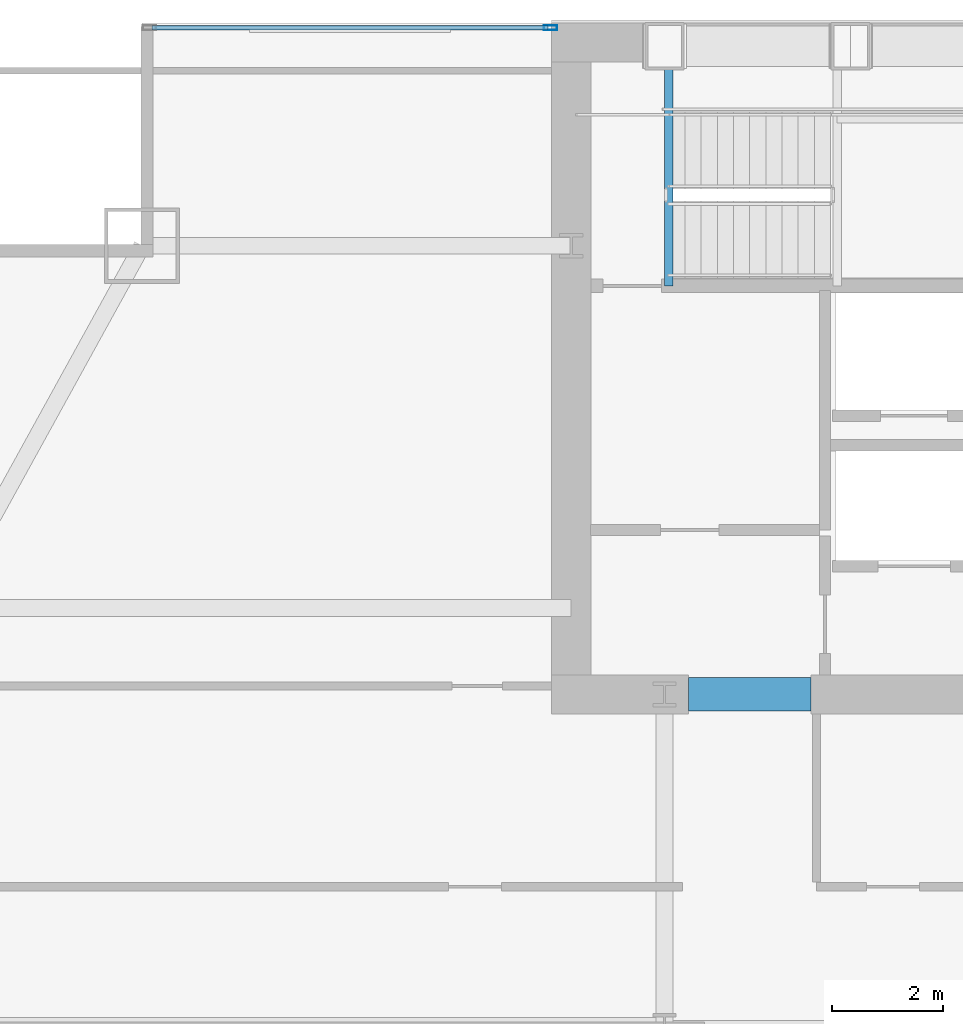
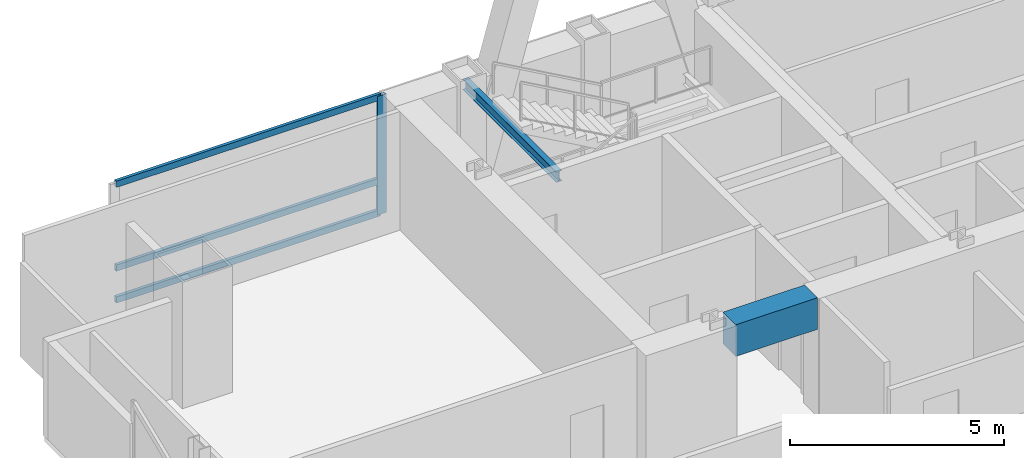
# One storey, part 19 of 31: 4 members, 2 beams, 1 element without a shape of its own.
"""IFC4 building model written with IfcOpenShell, lengths in metres."""

from ifc_helpers import new_model, si_unit, direction, frame, origin, origin_2d, place, context, subcontext, project, spatial, rectangle, hollow_rectangle, i_section, extrude, material, material_profile, profile_set, type_object, element, aggregate, save


model = new_model("IFC4")

# Units and contexts
model_context = context("Model", 3, precision=1e-05, world=origin(), true_north=direction((0.0, 1.0)))
body_context = subcontext(model_context, "Body", "Model", "MODEL_VIEW")
ifc_project = project(units=[si_unit("LENGTHUNIT", "METRE"), si_unit("AREAUNIT", "SQUARE_METRE"), si_unit("VOLUMEUNIT", "CUBIC_METRE"), si_unit("PLANEANGLEUNIT", "RADIAN"), si_unit("MASSUNIT", "GRAM", prefix="KILO")], contexts=[model_context])

# Site, building, storey
site_placement = place(None, origin())
site = spatial("IfcSite", under=ifc_project, at=site_placement, CompositionType="ELEMENT")
building_placement = place(site_placement, origin())
building = spatial("IfcBuilding", under=site, at=building_placement, Name="Khoronbel Lancet Exchange", CompositionType="ELEMENT")
storey_placement = place(building_placement, frame((0.0, 0.0, 168.60009765625)))
storey = spatial("IfcBuildingStorey", under=building, at=storey_placement, Name="L42", CompositionType="ELEMENT", Elevation=168.60009765625)

# Beams
ifc_material_1 = material(Name="Steel S355", Category="steel")
ifc_material_profile_1 = material_profile(ifc_material_1, i_section(OverallWidth=0.14990234375, OverallDepth=0.300048828125, WebThickness=0.007080078125, FlangeThickness=0.0107421875, at=origin_2d()), Name="IPE 300")
ifc_profile_set_1 = profile_set([ifc_material_profile_1], Name="Steel S355")
beam_type_1 = type_object("IfcBeamType", Name="BM-BJ8", PredefinedType="JOIST", material=ifc_profile_set_1)
beam_1_placement = place(storey_placement, frame((18.300048828125, 48.97998046875, 3.099853515625), z_axis=(0.0, 1.0, 0.0), x_axis=(-1.0, 0.0, 0.0)))
element("IfcBeam", 1, at=beam_1_placement, inside=storey, type_object=beam_type_1, Name="Level L42 stair ST1 upper-flight arrival trimmer beam", PredefinedType="JOIST", context=body_context, shape_type="SweptSolid", body=[
    extrude(i_section(OverallWidth=0.14990234375, OverallDepth=0.300048828125, WebThickness=0.007080078125, FlangeThickness=0.0107421875, at=origin_2d()), origin(), (0.0, 0.0, 1.0), 4.3701171875),
])
ifc_material_2 = material(Name="Concrete C80/95", Category="concrete")
ifc_material_profile_2 = material_profile(ifc_material_2, rectangle(XDim=0.60009765625, YDim=0.89990234375, at=origin_2d()), Name="RC 600x900")
ifc_profile_set_2 = profile_set([ifc_material_profile_2], Name="Concrete C80/95")
beam_type_2 = type_object("IfcBeamType", Name="BM-BL1", PredefinedType="LINTEL", material=ifc_profile_set_2)
beam_2_placement = place(storey_placement, frame((18.64990234375, 41.64990234375, 2.929931640625), z_axis=(1.0, 0.0, 0.0), x_axis=(0.0, 1.0, 0.0)))
element("IfcBeam", 2, at=beam_2_placement, inside=storey, type_object=beam_type_2, Name="Level L42 rear core coupling lintel L1", PredefinedType="LINTEL", context=body_context, shape_type="SweptSolid", body=[
    extrude(rectangle(XDim=0.60009765625, YDim=0.89990234375, at=origin_2d()), origin(), (0.0, 0.0, 1.0), 2.2001953125),
])

# Curtain wall, members
ifc_material_3 = material(Name="Low-E Solar Control Insulating Glass", Category="glass")
curtain_wall_type = type_object("IfcCurtainWallType", Name="CW-3", PredefinedType="NOTDEFINED", material=ifc_material_3)
curtain_wall_placement = place(storey_placement, origin())
curtain_wall = element("IfcCurtainWall", 3, at=curtain_wall_placement, inside=storey, type_object=curtain_wall_type, Name="Unitised curtain wall CW-L42-NWFLK", PredefinedType="NOTDEFINED")
ifc_material_4 = material(Name="Bronze-Anodised Aluminium 6063-T6", Category="aluminium")
ifc_material_profile_3 = material_profile(ifc_material_4, hollow_rectangle(XDim=0.0849609375, YDim=0.239990234375, WallThickness=0.006103515625, at=origin_2d()), Name="ALU MULLION 85x240")
ifc_profile_set_3 = profile_set([ifc_material_profile_3], Name="Bronze-Anodised Aluminium 6063-T6")
member_type_1 = type_object("IfcMemberType", Name="MEM-CWM1", PredefinedType="MULLION", material=ifc_profile_set_3)
member_1_placement = place(storey_placement, frame((16.177490234375, 53.610107421875, 0.0), z_axis=(0.0, 0.0, 1.0), x_axis=(0.0, -1.0, 0.0)))
member_1 = element("IfcMember", 4, at=member_1_placement, type_object=member_type_1, Name="CW3 mullion 1", PredefinedType="MULLION", context=body_context, shape_type="SweptSolid", body=[
    extrude(hollow_rectangle(XDim=0.0849609375, YDim=0.239990234375, WallThickness=0.006103515625, at=origin_2d()), origin(), (0.0, 0.0, 1.0), 3.3798828125),
])
ifc_material_profile_4 = material_profile(ifc_material_4, hollow_rectangle(XDim=0.0849609375, YDim=0.179931640625, WallThickness=0.0048828125, at=origin_2d()), Name="ALU TRANSOM 85x180")
ifc_profile_set_4 = profile_set([ifc_material_profile_4], Name="Bronze-Anodised Aluminium 6063-T6")
member_type_2 = type_object("IfcMemberType", Name="MEM-CWT1", PredefinedType="USERDEFINED", material=ifc_profile_set_4)
member_2_placement = place(storey_placement, frame((16.135009765625, 53.610107421875, 0.04248046875), z_axis=(-1.0, 0.0, 0.0), x_axis=(0.0, -1.0, 0.0)))
member_2 = element("IfcMember", 5, at=member_2_placement, type_object=member_type_2, Name="CW3 transom 1.1", ObjectType="TRANSOM", PredefinedType="USERDEFINED", context=body_context, shape_type="SweptSolid", body=[
    extrude(hollow_rectangle(XDim=0.0849609375, YDim=0.179931640625, WallThickness=0.0048828125, at=origin_2d()), origin(), (0.0, 0.0, 1.0), 7.110107421875),
])
member_3_placement = place(storey_placement, frame((16.135009765625, 53.610107421875, 0.949951171875), z_axis=(-1.0, 0.0, 0.0), x_axis=(0.0, -1.0, 0.0)))
member_3 = element("IfcMember", 6, at=member_3_placement, type_object=member_type_2, Name="CW3 transom 1.2", ObjectType="TRANSOM", PredefinedType="USERDEFINED", context=body_context, shape_type="SweptSolid", body=[
    extrude(hollow_rectangle(XDim=0.0849609375, YDim=0.179931640625, WallThickness=0.0048828125, at=origin_2d()), origin(), (0.0, 0.0, 1.0), 7.110107421875),
])
member_4_placement = place(storey_placement, frame((16.135009765625, 53.610107421875, 3.33740234375), z_axis=(-1.0, 0.0, 0.0), x_axis=(0.0, -1.0, 0.0)))
member_4 = element("IfcMember", 7, at=member_4_placement, type_object=member_type_2, Name="CW3 transom 1.3", ObjectType="TRANSOM", PredefinedType="USERDEFINED", context=body_context, shape_type="SweptSolid", body=[
    extrude(hollow_rectangle(XDim=0.0849609375, YDim=0.179931640625, WallThickness=0.0048828125, at=origin_2d()), origin(), (0.0, 0.0, 1.0), 7.110107421875),
])
aggregate(curtain_wall, [member_1, member_2, member_3, member_4])

save(model, "model.ifc")
